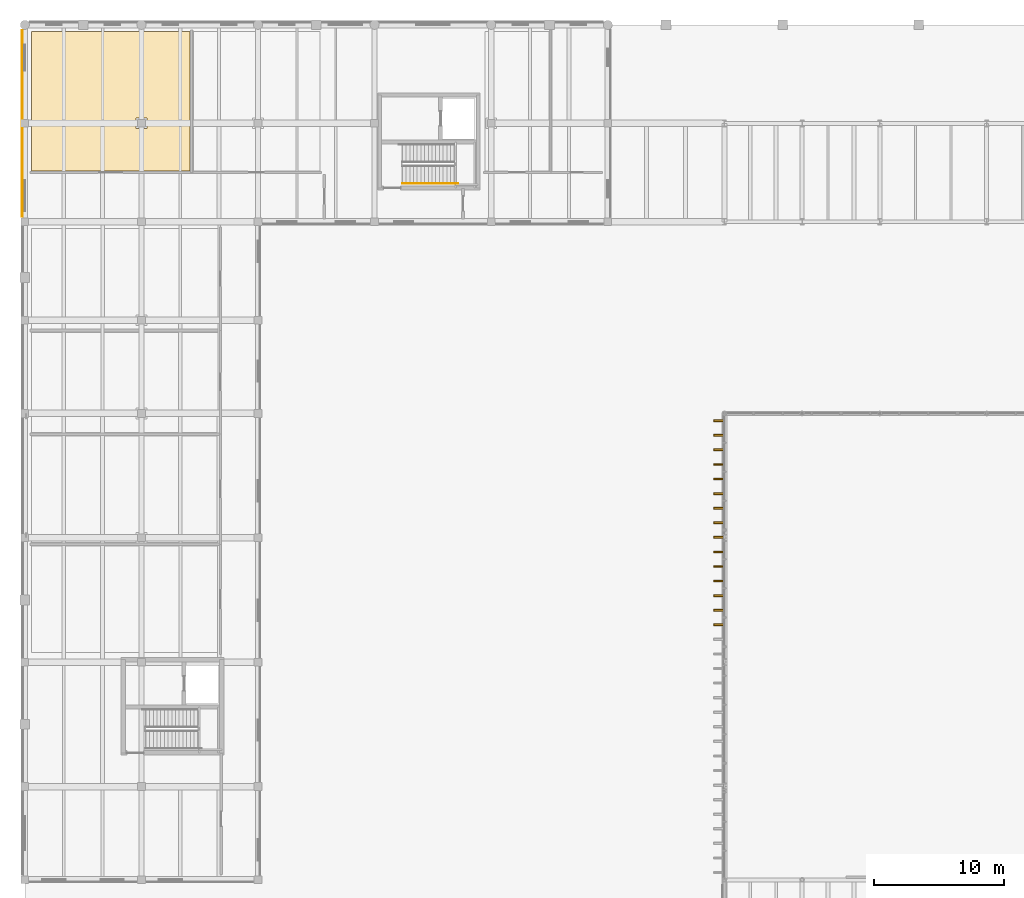
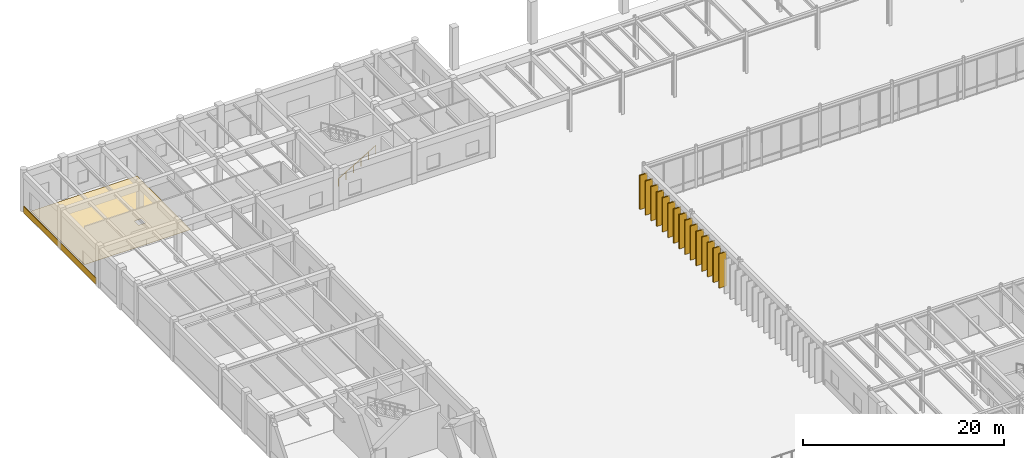
# One storey, part 56 of 64: 17 coverings, 1 railing.
"""IFC4 building model written with IfcOpenShell, lengths in metres."""

import ifcopenshell
import ifcopenshell.guid

model = None  # the IFC model being written
_history = None  # IfcOwnerHistory: only IFC2X3 demands one
_inside = {}  # id of a spatial element -> (the spatial element, [elements in it])
_under = {}  # id of a project, library or spatial element -> (it, [spatial elements below it])
_declared = {}  # id of a project -> (the project, [libraries it declares])
_typed = {}  # id of a type object -> (the type object, [elements of that type])
_made_of = {}  # id of a material, layer set ... -> (it, [elements and type objects made of it])


def new_model(schema):
    """Start an empty IFC model of exactly this schema.

    Asked for "IFC4X3", IfcOpenShell would pick the latest addendum, in which some entities
    have other attributes; the version numbers below select the first issue.
    IFC2X3 requires an IfcOwnerHistory on every rooted entity: one is made here for all.
    """
    global model, _history
    if schema == "IFC4X3":
        model = ifcopenshell.file(schema_version=(4, 3, 0, 0))
    else:
        model = ifcopenshell.file(schema=schema)
    _inside.clear()
    _under.clear()
    _declared.clear()
    _typed.clear()
    _made_of.clear()
    _history = None
    if model.schema == "IFC2X3":
        org = make("IfcOrganization", Name="unknown")
        user = make(
            "IfcPersonAndOrganization",
            ThePerson=make("IfcPerson", FamilyName="unknown"),
            TheOrganization=org,
        )
        app = make(
            "IfcApplication",
            ApplicationDeveloper=org,
            Version="unknown",
            ApplicationFullName="unknown",
            ApplicationIdentifier="unknown",
        )
        _history = make(
            "IfcOwnerHistory",
            OwningUser=user,
            OwningApplication=app,
            ChangeAction="ADDED",
            CreationDate=0,
        )
    return model


def make(cls, **values):
    """One entity of the class cls with the attributes given. An attribute that is None is left unset."""
    return model.create_entity(
        cls, **{name: value for name, value in values.items() if value is not None}
    )


def rooted(cls, **values):
    """An entity with a GlobalId (a new one), such as an element, a storey or a relation."""
    return make(cls, GlobalId=ifcopenshell.guid.new(), OwnerHistory=_history, **values)


def si_unit(unit_type, name, prefix=None):
    """IfcSIUnit, for example si_unit("LENGTHUNIT", "METRE", prefix="MILLI")."""
    return make("IfcSIUnit", UnitType=unit_type, Prefix=prefix, Name=name)


def assignment(units):
    """IfcUnitAssignment: the units of a project."""
    return None if units is None else make("IfcUnitAssignment", Units=units)


def point(xyz):
    """IfcCartesianPoint."""
    return None if xyz is None else make("IfcCartesianPoint", Coordinates=xyz)


def direction(xyz):
    """IfcDirection."""
    return None if xyz is None else make("IfcDirection", DirectionRatios=xyz)


def frame(location, z_axis=None, x_axis=None):
    """IfcAxis2Placement3D, a coordinate frame: its origin and axes. An axis left out is left unset."""
    return make(
        "IfcAxis2Placement3D",
        Location=point(location),
        Axis=direction(z_axis),
        RefDirection=direction(x_axis),
    )


def frame_2d(location, x_axis=None):
    """IfcAxis2Placement2D, a coordinate frame in the plane: its origin and x axis."""
    return make(
        "IfcAxis2Placement2D", Location=point(location), RefDirection=direction(x_axis)
    )


def origin():
    """The frame at (0, 0, 0) with its axes left unset."""
    return frame((0.0, 0.0, 0.0))


def origin_2d():
    """The frame at (0, 0) in the plane with its x axis left unset."""
    return frame_2d((0.0, 0.0))


def place(relative_to, where):
    """IfcLocalPlacement: puts the frame where relative to a parent placement (None: the world)."""
    return make(
        "IfcLocalPlacement", PlacementRelTo=relative_to, RelativePlacement=where
    )


def context(
    kind, dimensions, precision=None, world=None, true_north=None, identifier=None
):
    """IfcGeometricRepresentationContext, for example the 3D "Model" context."""
    return make(
        "IfcGeometricRepresentationContext",
        ContextIdentifier=identifier,
        ContextType=kind,
        CoordinateSpaceDimension=dimensions,
        Precision=precision,
        WorldCoordinateSystem=world,
        TrueNorth=true_north,
    )


def subcontext(parent, identifier, kind, view, scale=None):
    """IfcGeometricRepresentationSubContext, for example "Body" below "Model"."""
    return make(
        "IfcGeometricRepresentationSubContext",
        ContextIdentifier=identifier,
        ContextType=kind,
        ParentContext=parent,
        TargetScale=scale,
        TargetView=view,
    )


def project(units=None, contexts=None):
    """IfcProject with its units and contexts."""
    return rooted(
        "IfcProject",
        Name="project",
        RepresentationContexts=contexts,
        UnitsInContext=assignment(units),
    )


def spatial(cls, under=None, at=None, **own):
    """A site, building, storey or space (cls), placed at a placement, below another one or the project."""
    s = rooted(cls, ObjectPlacement=at, **own)
    if under is not None:
        _under.setdefault(under.id(), (under, []))[1].append(s)
    return s


def polyline(points):
    """IfcPolyline through the points."""
    return make("IfcPolyline", Points=[point(p) for p in points])


def profile(cls, at=None, kind="AREA", **sizes):
    """A parametric profile (cls). Its sizes go by their IFC names, for example OverallWidth=200.0."""
    return make(cls, ProfileType=kind, Position=at, **sizes)


def rectangle(**sizes):
    """IfcRectangleProfileDef."""
    return profile("IfcRectangleProfileDef", **sizes)


def circle(**sizes):
    """IfcCircleProfileDef."""
    return profile("IfcCircleProfileDef", **sizes)


def outline(outer, holes=None, kind="AREA"):
    """IfcArbitraryClosedProfileDef: a profile drawn as a closed curve; with holes, ...WithVoids."""
    if holes is None:
        return make("IfcArbitraryClosedProfileDef", ProfileType=kind, OuterCurve=outer)
    return make(
        "IfcArbitraryProfileDefWithVoids",
        ProfileType=kind,
        OuterCurve=outer,
        InnerCurves=holes,
    )


def extrude(swept, where, along, depth):
    """IfcExtrudedAreaSolid: the profile swept, set in the frame where, extruded along a direction by depth."""
    return make(
        "IfcExtrudedAreaSolid",
        SweptArea=swept,
        Position=where,
        ExtrudedDirection=direction(along),
        Depth=depth,
    )


def shape(context_of_items, identifier, shape_type, items):
    """IfcShapeRepresentation: the items that make up one representation, for example the "Body"."""
    return make(
        "IfcShapeRepresentation",
        ContextOfItems=context_of_items,
        RepresentationIdentifier=identifier,
        RepresentationType=shape_type,
        Items=items,
    )


def material(Name=None, Category=None):
    """IfcMaterial."""
    return make("IfcMaterial", Name=Name, Category=Category)


def layer(
    of_material, thickness, ventilated=None, Name=None, Category=None, Priority=None
):
    """IfcMaterialLayer: one layer of a wall or slab, of a material (None: an air gap)."""
    return make(
        "IfcMaterialLayer",
        Material=of_material,
        LayerThickness=thickness,
        IsVentilated=ventilated,
        Name=Name,
        Category=Category,
        Priority=Priority,
    )


def layer_set(layers, Name=None):
    """IfcMaterialLayerSet."""
    return make("IfcMaterialLayerSet", MaterialLayers=layers, LayerSetName=Name)


def made_of(thing, what):
    """Note that an element or type object is made of a material, layer set ...; save() writes the relation."""
    if what is not None:
        _made_of.setdefault(what.id(), (what, []))[1].append(thing)
    return thing


def type_object(cls, material=None, **own):
    """A type object (cls), such as IfcWallType, which elements share."""
    return made_of(rooted(cls, **own), material)


def element(
    cls,
    number,
    at=None,
    inside=None,
    cuts=None,
    type_object=None,
    material=None,
    context=None,
    identifier="Body",
    shape_type=None,
    held_by="IfcProductDefinitionShape",
    body=None,
    shapes=None,
    **own,
):
    """One element of the class cls, such as IfcWall. Its Tag is "e" and its number.

    at: its placement. inside: the storey or other place that contains it. cuts: it is an
    opening in that element (IfcRelVoidsElement). A single representation is given by context,
    identifier, shape_type and body (its items); several are given by shapes. held_by: the class
    of the entity that holds the representations. save() writes the other relations.
    """
    e = rooted(cls, Tag="e%d" % number, ObjectPlacement=at, **own)
    if body is not None:
        shapes = [shape(context, identifier, shape_type, body)]
    if shapes is not None:
        e.Representation = make(held_by, Representations=shapes)
    if inside is not None:
        _inside.setdefault(inside.id(), (inside, []))[1].append(e)
    if cuts is not None:
        rooted(
            "IfcRelVoidsElement", RelatingBuildingElement=cuts, RelatedOpeningElement=e
        )
    if type_object is not None:
        _typed.setdefault(type_object.id(), (type_object, []))[1].append(e)
    return made_of(e, material)


def aggregate(whole, parts):
    """IfcRelAggregates: a whole, such as a stair, and the parts it consists of."""
    return rooted("IfcRelAggregates", RelatingObject=whole, RelatedObjects=parts)


def save(model, path):
    """Write the relations noted so far, then the file.

    IfcRelAggregates (storeys below a building ...), IfcRelContainedInSpatialStructure (elements
    in a storey), IfcRelDefinesByType, IfcRelAssociatesMaterial and IfcRelDeclares: one each for
    every whole, place, type object, material and project.
    """
    for whole, parts in _under.values():
        aggregate(whole, parts)
    for where, things in _inside.values():
        rooted(
            "IfcRelContainedInSpatialStructure",
            RelatedElements=things,
            RelatingStructure=where,
        )
    for kind, things in _typed.values():
        rooted("IfcRelDefinesByType", RelatedObjects=things, RelatingType=kind)
    for what, things in _made_of.values():
        rooted("IfcRelAssociatesMaterial", RelatedObjects=things, RelatingMaterial=what)
    for by, libraries in _declared.values():
        rooted("IfcRelDeclares", RelatingContext=by, RelatedDefinitions=libraries)
    model.write(path)


model = new_model("IFC4")

# Units and contexts
model_context = context("Model", 3, precision=1e-05, world=origin(), true_north=direction((0.0, 1.0)))
body_context = subcontext(model_context, "Body", "Model", "MODEL_VIEW")
ifc_project = project(units=[si_unit("LENGTHUNIT", "METRE"), si_unit("AREAUNIT", "SQUARE_METRE"), si_unit("VOLUMEUNIT", "CUBIC_METRE"), si_unit("PLANEANGLEUNIT", "RADIAN"), si_unit("MASSUNIT", "GRAM", prefix="KILO")], contexts=[model_context])

# Site, building, storey
site_placement = place(None, origin())
site = spatial("IfcSite", under=ifc_project, at=site_placement, CompositionType="ELEMENT")
building_placement = place(site_placement, origin())
building = spatial("IfcBuilding", under=site, at=building_placement, Name="Montealbar Specialist Clinic", CompositionType="ELEMENT")
storey_placement = place(building_placement, origin())
storey = spatial("IfcBuildingStorey", under=building, at=storey_placement, Name="L00", CompositionType="ELEMENT", Elevation=0.0)

# Coverings
ifc_material_1 = material(Name="Guadarrama granite ashlar", Category="masonry")
ifc_layer_1 = layer(ifc_material_1, 0.06005859375, Name="Guadarrama granite ashlar", Category="masonry")
ifc_layer_set_1 = layer_set([ifc_layer_1], Name="Guadarrama granite ashlar")
covering_type_1 = type_object("IfcCoveringType", Name="COV-CLAD-GRANITE", PredefinedType="CLADDING", material=ifc_layer_set_1)
covering_1_placement = place(storey_placement, frame((-0.202880859375, 103.39990234375, 0.02978515625), z_axis=(0.0, 0.0, 1.0), x_axis=(0.0, 1.0, 0.0)))
element("IfcCovering", 1, at=covering_1_placement, inside=storey, type_object=covering_type_1, Name="Facade Plinth Cladding Band L00-016", PredefinedType="CLADDING", context=body_context, shape_type="SweptSolid", body=[
    extrude(rectangle(XDim=14.39990234375, YDim=0.06005859375, at=origin_2d()), origin(), (0.0, 0.0, 1.0), 0.780029296875),
])
ifc_material_2 = material(Name="Thermally modified timber cladding", Category="wood")
ifc_layer_2 = layer(ifc_material_2, 0.139892578125, Name="Thermally modified timber cladding", Category="wood")
ifc_layer_set_2 = layer_set([ifc_layer_2], Name="Thermally modified timber cladding")
covering_type_2 = type_object("IfcCoveringType", Name="COV-FIN-TIMBER-850", PredefinedType="CLADDING", material=ifc_layer_set_2)
for number, where, z_axis, x_axis, name in (
    (2, (53.60009765625, 64.68798828125, 0.0), (0.0, 0.0, 1.0), (-1.0, 0.0, 0.0), "Vertical Timber Solar Fin CF-L00-0018"),
    (3, (53.60009765625, 65.81201171875, 0.0), (0.0, 0.0, 1.0), (-1.0, 0.0, 0.0), "Vertical Timber Solar Fin CF-L00-0019"),
    (4, (53.60009765625, 66.93798828125, 0.0), (0.0, 0.0, 1.0), (-1.0, 0.0, 0.0), "Vertical Timber Solar Fin CF-L00-0020"),
    (5, (53.60009765625, 68.06201171875, 0.0), (0.0, 0.0, 1.0), (-1.0, 0.0, 0.0), "Vertical Timber Solar Fin CF-L00-0021"),
    (6, (53.60009765625, 69.18798828125, 0.0), (0.0, 0.0, 1.0), (-1.0, 0.0, 0.0), "Vertical Timber Solar Fin CF-L00-0022"),
    (7, (53.60009765625, 70.31201171875, 0.0), (0.0, 0.0, 1.0), (-1.0, 0.0, 0.0), "Vertical Timber Solar Fin CF-L00-0023"),
    (8, (53.60009765625, 71.43798828125, 0.0), (0.0, 0.0, 1.0), (-1.0, 0.0, 0.0), "Vertical Timber Solar Fin CF-L00-0024"),
    (9, (53.60009765625, 72.56201171875, 0.0), (0.0, 0.0, 1.0), (-1.0, 0.0, 0.0), "Vertical Timber Solar Fin CF-L00-0025"),
    (10, (53.60009765625, 73.68798828125, 0.0), (0.0, 0.0, 1.0), (-1.0, 0.0, 0.0), "Vertical Timber Solar Fin CF-L00-0026"),
    (11, (53.60009765625, 74.81201171875, 0.0), (0.0, 0.0, 1.0), (-1.0, 0.0, 0.0), "Vertical Timber Solar Fin CF-L00-0027"),
    (12, (53.60009765625, 75.93798828125, 0.0), (0.0, 0.0, 1.0), (-1.0, 0.0, 0.0), "Vertical Timber Solar Fin CF-L00-0028"),
    (13, (53.60009765625, 77.06201171875, 0.0), (0.0, 0.0, 1.0), (-1.0, 0.0, 0.0), "Vertical Timber Solar Fin CF-L00-0029"),
    (14, (53.60009765625, 78.18798828125, 0.0), (0.0, 0.0, 1.0), (-1.0, 0.0, 0.0), "Vertical Timber Solar Fin CF-L00-0030"),
    (15, (53.60009765625, 79.31201171875, 0.0), (0.0, 0.0, 1.0), (-1.0, 0.0, 0.0), "Vertical Timber Solar Fin CF-L00-0031"),
    (16, (53.60009765625, 80.43798828125, 0.0), (0.0, 0.0, 1.0), (-1.0, 0.0, 0.0), "Vertical Timber Solar Fin CF-L00-0032"),
):
    element("IfcCovering", number, at=place(storey_placement, frame(where, z_axis=z_axis, x_axis=x_axis)), inside=storey, type_object=covering_type_2, Name=name, PredefinedType="CLADDING", context=body_context, shape_type="SweptSolid", body=[
        extrude(rectangle(XDim=0.85009765625, YDim=0.139892578125, at=origin_2d()), origin(), (0.0, 0.0, 1.0), 4.159912109375),
    ])
ifc_material_3 = material(Name="Antimicrobial clinical linoleum", Category="wood")
ifc_layer_3 = layer(ifc_material_3, 0.02001953125, Name="Antimicrobial clinical linoleum", Category="wood")
ifc_layer_set_3 = layer_set([ifc_layer_3], Name="Antimicrobial clinical linoleum")
covering_type_3 = type_object("IfcCoveringType", Name="COV-FLR-LINOLEUM", PredefinedType="FLOORING", material=ifc_layer_set_3)
covering_2_placement = place(storey_placement, origin())
element("IfcCovering", 17, at=covering_2_placement, inside=storey, type_object=covering_type_3, Name="Clinical Flooring Outpatient Dispensing Pharmacy Hall", PredefinedType="FLOORING", context=body_context, shape_type="SweptSolid", body=[
    extrude(outline(polyline([(0.530029296875, 110.469970703125), (12.7451171875, 110.469970703125), (12.7451171875, 99.72998046875), (0.530029296875, 99.72998046875), (0.530029296875, 110.469970703125)]), holes=[polyline([(9.419921875, 103.820068359375), (8.580078125, 103.820068359375), (8.580078125, 102.97998046875), (9.419921875, 102.97998046875), (9.419921875, 103.820068359375)])]), origin(), (0.0, 0.0, 1.0), 0.02001953125),
])

# Railing
ifc_material_4 = material(Name="Steel S355", Category="steel")
ifc_layer_4 = layer(ifc_material_4, 0.044921875, Name="Steel S355", Category="steel")
ifc_layer_set_4 = layer_set([ifc_layer_4], Name="Steel S355")
railing_type = type_object("IfcRailingType", Name="RAIL-STAIR-HR-900", PredefinedType="HANDRAIL", material=ifc_layer_set_4)
railing_placement = place(storey_placement, frame((29.14990234375, 98.75, 0.169921875)))
element("IfcRailing", 18, at=railing_placement, inside=storey, type_object=railing_type, Name="L00 ST-02 stair handrail 1", PredefinedType="HANDRAIL", context=body_context, shape_type="SweptSolid", body=[
    extrude(circle(Radius=0.02392578125, at=origin_2d()), frame((0.0, 0.0, 0.8759765625), z_axis=(0.858822911917, 0.0, 0.512272589513), x_axis=(0.0, 1.0, 0.0)), (0.0, 0.0, 1.0), 4.97802734375),
    extrude(circle(Radius=0.02099609375, at=origin_2d()), frame((0.0, 0.0, -0.02490234375)), (0.0, 0.0, 1.0), 0.876708984375),
    extrude(circle(Radius=0.02099609375, at=origin_2d()), frame((0.85498046875, 0.0, 0.485107421875)), (0.0, 0.0, 1.0), 0.876708984375),
    extrude(circle(Radius=0.02099609375, at=origin_2d()), frame((1.7099609375, 0.0, 0.9951171875)), (0.0, 0.0, 1.0), 0.876708984375),
    extrude(circle(Radius=0.02099609375, at=origin_2d()), frame((2.565185546875, 0.0, 1.505126953125)), (0.0, 0.0, 1.0), 0.876708984375),
    extrude(circle(Radius=0.02099609375, at=origin_2d()), frame((3.420166015625, 0.0, 2.01513671875)), (0.0, 0.0, 1.0), 0.876708984375),
    extrude(circle(Radius=0.02099609375, at=origin_2d()), frame((4.275146484375, 0.0, 2.355224609375)), (0.0, 0.0, 1.0), 1.046630859375),
])

save(model, "model.ifc")
